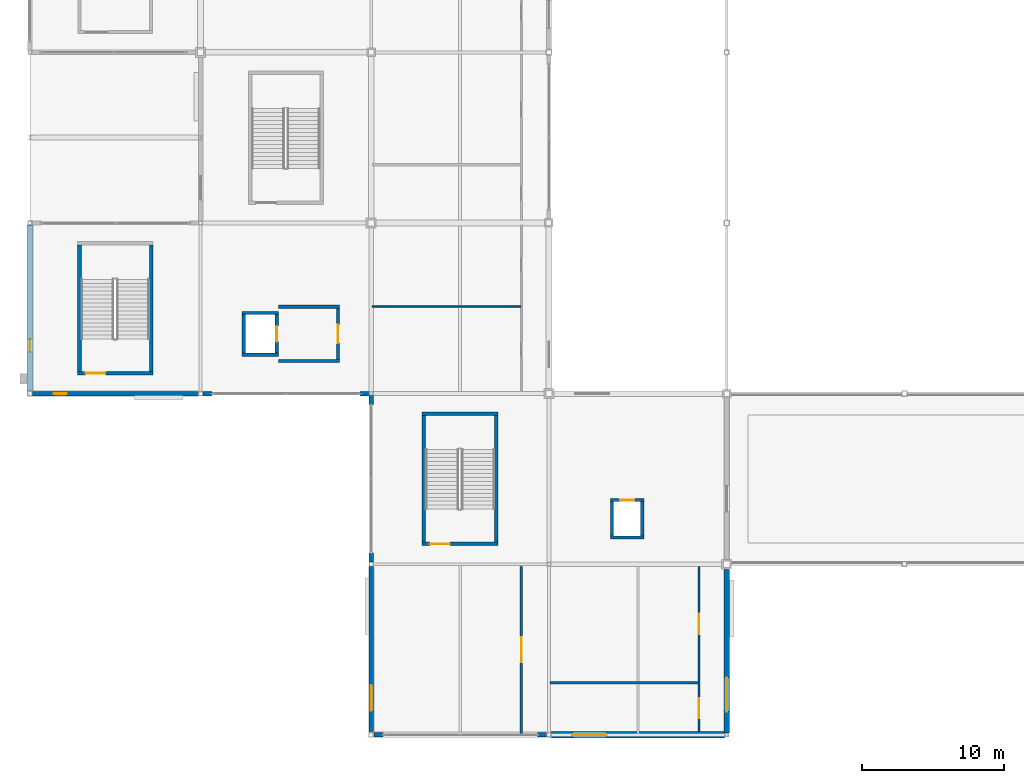
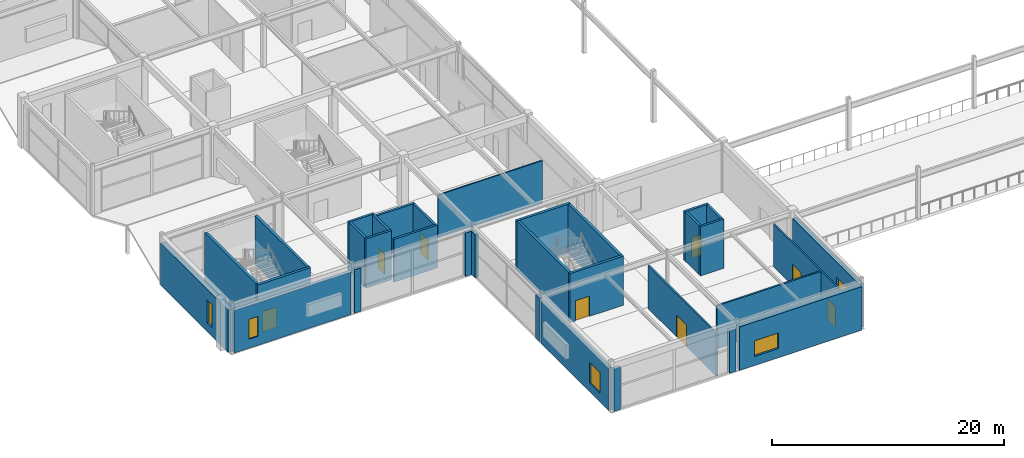
# One storey, part 72 of 105: 33 walls, 8 doors, 5 windows, 13 openings.
"""IFC4 building model written with IfcOpenShell, lengths in metres."""

from ifc_helpers import new_model, si_unit, direction, frame, frame_2d, origin, place, context, subcontext, project, spatial, rectangle, extrude, material, layer, layer_set, type_object, element, fill, save


model = new_model("IFC4")

# Units and contexts
model_context = context("Model", 3, precision=1e-05, world=origin(), true_north=direction((0.0, 1.0)))
body_context = subcontext(model_context, "Body", "Model", "MODEL_VIEW")
ifc_project = project(units=[si_unit("LENGTHUNIT", "METRE"), si_unit("AREAUNIT", "SQUARE_METRE"), si_unit("VOLUMEUNIT", "CUBIC_METRE"), si_unit("PLANEANGLEUNIT", "RADIAN"), si_unit("MASSUNIT", "GRAM", prefix="KILO")], contexts=[model_context])

# Site, building, storey
site_placement = place(None, origin())
site = spatial("IfcSite", under=ifc_project, at=site_placement, CompositionType="ELEMENT")
building_placement = place(site_placement, origin())
building = spatial("IfcBuilding", under=site, at=building_placement, Name="Kazenohara Klinker Stadium", CompositionType="ELEMENT")
storey_placement = place(building_placement, frame((0.0, 0.0, 20.39990234375)))
storey = spatial("IfcBuildingStorey", under=building, at=storey_placement, Name="L04", CompositionType="ELEMENT", Elevation=20.39990234375)

# Walls
ifc_material_1 = material(Name="Concrete C40/50", Category="concrete")
ifc_layer_1 = layer(ifc_material_1, 0.22998046875)
ifc_layer_set_1 = layer_set([ifc_layer_1], Name="Concrete C40/50")
wall_type_1 = type_object("IfcWallType", Name="WAL-CORE-230", PredefinedType="SHEAR", material=ifc_layer_set_1)
for number, where, z_axis, x_axis, name in (
    (1, (14.919921875, 38.735107421875, 0.0), (0.0, 0.0, 1.0), (1.0, 0.0, 0.0), "Elevator shaft wall LF01 L04 South"),
    (2, (14.919921875, 41.6650390625, 0.0), (0.0, 0.0, 1.0), (1.0, 0.0, 0.0), "Elevator shaft wall LF01 L04 North"),
):
    element("IfcWall", number, at=place(storey_placement, frame(where, z_axis=z_axis, x_axis=x_axis)), inside=storey, type_object=wall_type_1, Name=name, PredefinedType="SHEAR", context=body_context, shape_type="SweptSolid", body=[
        extrude(rectangle(XDim=2.56005859375, YDim=0.22998046875, at=frame_2d((1.280029296875, 0.0))), origin(), (0.0, 0.0, 1.0), 5.18017578125),
    ])
wall_1_placement = place(storey_placement, frame((15.034912109375, 38.85009765625, 0.0), z_axis=(0.0, 0.0, 1.0), x_axis=(0.0, 1.0, 0.0)))
element("IfcWall", 3, at=wall_1_placement, inside=storey, type_object=wall_type_1, Name="Elevator shaft wall LF01 L04 West", PredefinedType="SHEAR", context=body_context, shape_type="SweptSolid", body=[
    extrude(rectangle(XDim=2.699951171875, YDim=0.22998046875, at=frame_2d((1.35009765625, 0.0))), origin(), (0.0, 0.0, 1.0), 5.18017578125),
])

# Wall, opening, door
wall_2_placement = place(storey_placement, frame((17.364990234375, 38.85009765625, 0.0), z_axis=(0.0, 0.0, 1.0), x_axis=(0.0, 1.0, 0.0)))
wall_2 = element("IfcWall", 4, at=wall_2_placement, inside=storey, type_object=wall_type_1, Name="Elevator shaft wall LF01 L04 East", PredefinedType="SHEAR", context=body_context, shape_type="SweptSolid", body=[
    extrude(rectangle(XDim=2.699951171875, YDim=0.22998046875, at=frame_2d((1.35009765625, 0.0))), origin(), (0.0, 0.0, 1.0), 5.18017578125),
])
opening_1_placement = place(wall_2_placement, frame((0.800048828125, 0.0, 0.0)))
opening_1 = element("IfcOpeningElement", 5, at=opening_1_placement, cuts=wall_2, Name="Opening LD01", PredefinedType="OPENING", context=body_context, shape_type="SweptSolid", body=[
    extrude(rectangle(XDim=1.10009765625, YDim=2.14990234375, at=frame_2d((0.550048828125, 1.074951171875))), frame((0.0, 0.125, 0.0), z_axis=(0.0, -1.0, 0.0), x_axis=(1.0, 0.0, 0.0)), (0.0, 0.0, 1.0), 0.25),
])
ifc_material_2 = material(Name="Stainless steel fire-rated sliding landing door", Category="steel")
door_type_1 = type_object("IfcDoorType", Name="DR-LD01-1100x2150", OperationType="NOTDEFINED", PredefinedType="DOOR", material=ifc_material_2)
door_1_placement = place(opening_1_placement, origin())
door_1 = element("IfcDoor", 6, at=door_1_placement, inside=storey, type_object=door_type_1, Name="Elevator sliding landing door LF01-L04", OperationType="DOUBLE_DOOR_SLIDING", OverallHeight=2.14990234375, OverallWidth=1.10009765625, PredefinedType="DOOR", context=body_context, shape_type="SweptSolid", body=[
    extrude(rectangle(XDim=1.10009765625, YDim=2.14990234375, at=frame_2d((0.550048828125, 1.074951171875))), frame((0.0, 0.02490234375, 0.0), z_axis=(0.0, -1.0, 0.0), x_axis=(1.0, 0.0, 0.0)), (0.0, 0.0, 1.0), 0.050048828125),
])
fill(opening_1, door_1)

# Wall
wall_3_placement = place(storey_placement, frame((40.820068359375, 25.885009765625, 0.0), z_axis=(0.0, 0.0, 1.0), x_axis=(1.0, 0.0, 0.0)))
element("IfcWall", 7, at=wall_3_placement, inside=storey, type_object=wall_type_1, Name="Elevator shaft wall LP03 L04 South", PredefinedType="SHEAR", context=body_context, shape_type="SweptSolid", body=[
    extrude(rectangle(XDim=2.35986328125, YDim=0.22998046875, at=frame_2d((1.179931640625, 0.0))), origin(), (0.0, 0.0, 1.0), 5.18017578125),
])

# Wall, opening, door
wall_4_placement = place(storey_placement, frame((40.820068359375, 28.514892578125, 0.0), z_axis=(0.0, 0.0, 1.0), x_axis=(1.0, 0.0, 0.0)))
wall_4 = element("IfcWall", 8, at=wall_4_placement, inside=storey, type_object=wall_type_1, Name="Elevator shaft wall LP03 L04 North", PredefinedType="SHEAR", context=body_context, shape_type="SweptSolid", body=[
    extrude(rectangle(XDim=2.35986328125, YDim=0.22998046875, at=frame_2d((1.179931640625, 0.0))), origin(), (0.0, 0.0, 1.0), 5.18017578125),
])
opening_2_placement = place(wall_4_placement, frame((0.679931640625, 0.0, 0.0)))
opening_2 = element("IfcOpeningElement", 9, at=opening_2_placement, cuts=wall_4, Name="Opening LD02", PredefinedType="OPENING", context=body_context, shape_type="SweptSolid", body=[
    extrude(rectangle(XDim=1.0, YDim=2.14990234375, at=frame_2d((0.5, 1.074951171875))), frame((0.0, 0.125, 0.0), z_axis=(0.0, -1.0, 0.0), x_axis=(1.0, 0.0, 0.0)), (0.0, 0.0, 1.0), 0.25),
])
ifc_material_3 = material(Name="Stainless steel sliding landing door", Category="steel")
door_type_2 = type_object("IfcDoorType", Name="DR-LD02-1000x2150", OperationType="NOTDEFINED", PredefinedType="DOOR", material=ifc_material_3)
door_2_placement = place(opening_2_placement, origin())
door_2 = element("IfcDoor", 10, at=door_2_placement, inside=storey, type_object=door_type_2, Name="Elevator sliding landing door LP03-L04", OperationType="DOUBLE_DOOR_SLIDING", OverallHeight=2.14990234375, OverallWidth=1.0, PredefinedType="DOOR", context=body_context, shape_type="SweptSolid", body=[
    extrude(rectangle(XDim=1.0, YDim=2.14990234375, at=frame_2d((0.5, 1.074951171875))), frame((0.0, 0.02490234375, 0.0), z_axis=(0.0, -1.0, 0.0), x_axis=(1.0, 0.0, 0.0)), (0.0, 0.0, 1.0), 0.050048828125),
])
fill(opening_2, door_2)

# Walls
for number, where, z_axis, x_axis, name in (
    (11, (40.93505859375, 26.0, 0.0), (0.0, 0.0, 1.0), (0.0, 1.0, 0.0), "Elevator shaft wall LP03 L04 West"),
    (12, (43.06494140625, 26.0, 0.0), (0.0, 0.0, 1.0), (0.0, 1.0, 0.0), "Elevator shaft wall LP03 L04 East"),
):
    element("IfcWall", number, at=place(storey_placement, frame(where, z_axis=z_axis, x_axis=x_axis)), inside=storey, type_object=wall_type_1, Name=name, PredefinedType="SHEAR", context=body_context, shape_type="SweptSolid", body=[
        extrude(rectangle(XDim=2.39990234375, YDim=0.22998046875, at=frame_2d((1.199951171875, 0.0))), origin(), (0.0, 0.0, 1.0), 5.18017578125),
    ])

# Wall, opening, door
ifc_layer_2 = layer(ifc_material_1, 0.25)
ifc_layer_set_2 = layer_set([ifc_layer_2], Name="Concrete C40/50")
wall_type_2 = type_object("IfcWallType", Name="WAL-CORE-250", PredefinedType="SHEAR", material=ifc_layer_set_2)
wall_5_placement = place(storey_placement, frame((3.360107421875, 37.425048828125, 0.0), z_axis=(0.0, 0.0, 1.0), x_axis=(1.0, 0.0, 0.0)))
wall_5 = element("IfcWall", 13, at=wall_5_placement, inside=storey, type_object=wall_type_2, Name="Stairwell shear wall ST01 L04 South", PredefinedType="SHEAR", context=body_context, shape_type="SweptSolid", body=[
    extrude(rectangle(XDim=5.27978515625, YDim=0.25, at=frame_2d((2.639892578125, 0.0))), origin(), (0.0, 0.0, 1.0), 5.18017578125),
])
opening_3_placement = place(wall_5_placement, frame((0.550048828125, 0.0, 0.0)))
opening_3 = element("IfcOpeningElement", 14, at=opening_3_placement, cuts=wall_5, Name="Opening SD01", PredefinedType="OPENING", context=body_context, shape_type="SweptSolid", body=[
    extrude(rectangle(XDim=1.39990234375, YDim=2.14990234375, at=frame_2d((0.699951171875, 1.074951171875))), frame((0.0, 0.135009765625, 0.0), z_axis=(0.0, -1.0, 0.0), x_axis=(1.0, 0.0, 0.0)), (0.0, 0.0, 1.0), 0.27001953125),
])
ifc_material_4 = material(Name="Flush painted steel fire door leaf", Category="steel")
door_type_3 = type_object("IfcDoorType", Name="DR-STR-1400x2150", OperationType="NOTDEFINED", PredefinedType="DOOR", material=ifc_material_4)
door_3_placement = place(opening_3_placement, origin())
door_3 = element("IfcDoor", 15, at=door_3_placement, inside=storey, type_object=door_type_3, Name="Escape stairwell fire door ST01-L04", OperationType="SINGLE_SWING_RIGHT", OverallHeight=2.14990234375, OverallWidth=1.39990234375, PredefinedType="DOOR", context=body_context, shape_type="SweptSolid", body=[
    extrude(rectangle(XDim=1.39990234375, YDim=2.14990234375, at=frame_2d((0.699951171875, 1.074951171875))), frame((0.0, 0.02490234375, 0.0), z_axis=(0.0, -1.0, 0.0), x_axis=(1.0, 0.0, 0.0)), (0.0, 0.0, 1.0), 0.050048828125),
])
fill(opening_3, door_3)

# Walls
for number, where, z_axis, x_axis, name in (
    (16, (3.485107421875, 37.550048828125, 0.0), (0.0, 0.0, 1.0), (0.0, 1.0, 0.0), "Stairwell shear wall ST01 L04 West"),
    (17, (8.514892578125, 37.550048828125, 0.0), (0.0, 0.0, 1.0), (0.0, 1.0, 0.0), "Stairwell shear wall ST01 L04 East"),
):
    element("IfcWall", number, at=place(storey_placement, frame(where, z_axis=z_axis, x_axis=x_axis)), inside=storey, type_object=wall_type_2, Name=name, PredefinedType="SHEAR", context=body_context, shape_type="SweptSolid", body=[
        extrude(rectangle(XDim=8.89990234375, YDim=0.25, at=frame_2d((4.449951171875, 0.0))), origin(), (0.0, 0.0, 1.0), 5.18017578125),
    ])

# Wall, opening, door
wall_6_placement = place(storey_placement, frame((27.580078125, 25.425048828125, 0.0), z_axis=(0.0, 0.0, 1.0), x_axis=(1.0, 0.0, 0.0)))
wall_6 = element("IfcWall", 18, at=wall_6_placement, inside=storey, type_object=wall_type_2, Name="Stairwell shear wall ST07 L04 South", PredefinedType="SHEAR", context=body_context, shape_type="SweptSolid", body=[
    extrude(rectangle(XDim=5.33984375, YDim=0.25, at=frame_2d((2.669921875, 0.0))), origin(), (0.0, 0.0, 1.0), 5.18017578125),
])
opening_4_placement = place(wall_6_placement, frame((0.550048828125, 0.0, 0.0)))
opening_4 = element("IfcOpeningElement", 19, at=opening_4_placement, cuts=wall_6, Name="Opening SD01", PredefinedType="OPENING", context=body_context, shape_type="SweptSolid", body=[
    extrude(rectangle(XDim=1.39990234375, YDim=2.14990234375, at=frame_2d((0.699951171875, 1.074951171875))), frame((0.0, 0.135009765625, 0.0), z_axis=(0.0, -1.0, 0.0), x_axis=(1.0, 0.0, 0.0)), (0.0, 0.0, 1.0), 0.27001953125),
])
door_4_placement = place(opening_4_placement, origin())
door_4 = element("IfcDoor", 20, at=door_4_placement, inside=storey, type_object=door_type_3, Name="Escape stairwell fire door ST07-L04", OperationType="SINGLE_SWING_RIGHT", OverallHeight=2.14990234375, OverallWidth=1.39990234375, PredefinedType="DOOR", context=body_context, shape_type="SweptSolid", body=[
    extrude(rectangle(XDim=1.39990234375, YDim=2.14990234375, at=frame_2d((0.699951171875, 1.074951171875))), frame((0.0, 0.02490234375, 0.0), z_axis=(0.0, -1.0, 0.0), x_axis=(1.0, 0.0, 0.0)), (0.0, 0.0, 1.0), 0.050048828125),
])
fill(opening_4, door_4)

# Walls
wall_7_placement = place(storey_placement, frame((27.580078125, 34.574951171875, 0.0), z_axis=(0.0, 0.0, 1.0), x_axis=(1.0, 0.0, 0.0)))
element("IfcWall", 21, at=wall_7_placement, inside=storey, type_object=wall_type_2, Name="Stairwell shear wall ST07 L04 North", PredefinedType="SHEAR", context=body_context, shape_type="SweptSolid", body=[
    extrude(rectangle(XDim=5.33984375, YDim=0.25, at=frame_2d((2.669921875, 0.0))), origin(), (0.0, 0.0, 1.0), 5.18017578125),
])
for number, where, z_axis, x_axis, name in (
    (22, (27.705078125, 25.550048828125, 0.0), (0.0, 0.0, 1.0), (0.0, 1.0, 0.0), "Stairwell shear wall ST07 L04 West"),
    (23, (32.794921875, 25.550048828125, 0.0), (0.0, 0.0, 1.0), (0.0, 1.0, 0.0), "Stairwell shear wall ST07 L04 East"),
):
    element("IfcWall", number, at=place(storey_placement, frame(where, z_axis=z_axis, x_axis=x_axis)), inside=storey, type_object=wall_type_2, Name=name, PredefinedType="SHEAR", context=body_context, shape_type="SweptSolid", body=[
        extrude(rectangle(XDim=8.89990234375, YDim=0.25, at=frame_2d((4.449951171875, 0.0))), origin(), (0.0, 0.0, 1.0), 5.18017578125),
    ])

# Wall, opening, window
ifc_material_5 = material(Name="Clinker brick masonry", Category="masonry")
ifc_layer_3 = layer(ifc_material_5, 0.31005859375)
ifc_layer_set_3 = layer_set([ifc_layer_3], Name="Clinker brick masonry")
wall_type_3 = type_object("IfcWallType", Name="WAL-EXT-CB310", PredefinedType="SOLIDWALL", material=ifc_layer_set_3)
wall_8_placement = place(storey_placement, frame((0.178955078125, 36.0, 0.0), z_axis=(0.0, 0.0, 1.0), x_axis=(1.0, 0.0, 0.0)))
wall_8 = element("IfcWall", 24, at=wall_8_placement, inside=storey, type_object=wall_type_3, Name="Clinker brick cavity wall EW05 L04 X0-3", PredefinedType="SOLIDWALL", context=body_context, shape_type="SweptSolid", body=[
    extrude(rectangle(XDim=11.6669921875, YDim=0.31005859375, at=frame_2d((5.83349609375, 0.0))), origin(), (0.0, 0.0, 1.0), 4.47998046875),
])
opening_5_placement = place(wall_8_placement, frame((1.5, 0.0, 0.949951171875)))
opening_5 = element("IfcOpeningElement", 25, at=opening_5_placement, cuts=wall_8, Name="Opening W01", PredefinedType="OPENING", context=body_context, shape_type="SweptSolid", body=[
    extrude(rectangle(XDim=0.89990234375, YDim=2.10009765625, at=frame_2d((0.449951171875, 1.050048828125))), frame((0.0, 0.1650390625, 0.0), z_axis=(0.0, -1.0, 0.0), x_axis=(1.0, 0.0, 0.0)), (0.0, 0.0, 1.0), 0.330078125),
])
ifc_material_6 = material(Name="Dark bronze aluminium frame and triple glazing", Category="aluminium")
window_type_1 = type_object("IfcWindowType", Name="WIN-AS-01", PartitioningType="SINGLE_PANEL", PredefinedType="WINDOW", material=ifc_material_6)
window_1_placement = place(opening_5_placement, origin())
window_1 = element("IfcWindow", 26, at=window_1_placement, inside=storey, type_object=window_type_1, Name="Horizontal-mullion ladder window W01 L04 X0-3", OverallHeight=2.10009765625, OverallWidth=0.89990234375, PartitioningType="SINGLE_PANEL", PredefinedType="WINDOW", context=body_context, shape_type="SweptSolid", body=[
    extrude(rectangle(XDim=0.89990234375, YDim=2.10009765625, at=frame_2d((0.449951171875, 1.050048828125))), frame((0.0, 0.030029296875, 0.0), z_axis=(0.0, -1.0, 0.0), x_axis=(1.0, 0.0, 0.0)), (0.0, 0.0, 1.0), 0.06005859375),
])
fill(opening_5, window_1)

# Walls
wall_9_placement = place(storey_placement, frame((12.154052734375, 36.0, 0.0), z_axis=(0.0, 0.0, 1.0), x_axis=(1.0, 0.0, 0.0)))
element("IfcWall", 27, at=wall_9_placement, inside=storey, type_object=wall_type_3, Name="Clinker brick curtain-wall jamb pier L04 X1-3 A", PredefinedType="SOLIDWALL", context=body_context, shape_type="SweptSolid", body=[
    extrude(rectangle(XDim=0.64990234375, YDim=0.31005859375, at=frame_2d((0.324951171875, 0.0))), origin(), (0.0, 0.0, 1.0), 4.580078125),
])
wall_10_placement = place(storey_placement, frame((23.220947265625, 36.0, 0.0), z_axis=(0.0, 0.0, 1.0), x_axis=(1.0, 0.0, 0.0)))
element("IfcWall", 28, at=wall_10_placement, inside=storey, type_object=wall_type_3, Name="Clinker brick curtain-wall jamb pier L04 X1-3 B", PredefinedType="SOLIDWALL", context=body_context, shape_type="SweptSolid", body=[
    extrude(rectangle(XDim=0.650146484375, YDim=0.31005859375, at=frame_2d((0.3251953125, 0.0))), origin(), (0.0, 0.0, 1.0), 4.580078125),
])
wall_11_placement = place(storey_placement, frame((24.178955078125, 12.0, 0.0), z_axis=(0.0, 0.0, 1.0), x_axis=(1.0, 0.0, 0.0)))
element("IfcWall", 29, at=wall_11_placement, inside=storey, type_object=wall_type_3, Name="Clinker brick curtain-wall jamb pier L04 X2-1 A", PredefinedType="SOLIDWALL", context=body_context, shape_type="SweptSolid", body=[
    extrude(rectangle(XDim=0.650146484375, YDim=0.31005859375, at=frame_2d((0.3251953125, 0.0))), origin(), (0.0, 0.0, 1.0), 4.47998046875),
])
wall_12_placement = place(storey_placement, frame((35.696044921875, 12.0, 0.0), z_axis=(0.0, 0.0, 1.0), x_axis=(1.0, 0.0, 0.0)))
element("IfcWall", 30, at=wall_12_placement, inside=storey, type_object=wall_type_3, Name="Clinker brick curtain-wall jamb pier L04 X2-1 B", PredefinedType="SOLIDWALL", context=body_context, shape_type="SweptSolid", body=[
    extrude(rectangle(XDim=0.64990234375, YDim=0.31005859375, at=frame_2d((0.324951171875, 0.0))), origin(), (0.0, 0.0, 1.0), 4.47998046875),
])

# Wall, opening, window
wall_13_placement = place(storey_placement, frame((24.0, 12.178955078125, 0.0), z_axis=(0.0, 0.0, 1.0), x_axis=(0.0, 1.0, 0.0)))
wall_13 = element("IfcWall", 31, at=wall_13_placement, inside=storey, type_object=wall_type_3, Name="Clinker brick cavity wall EW05 L04 Y2-1", PredefinedType="SOLIDWALL", context=body_context, shape_type="SweptSolid", body=[
    extrude(rectangle(XDim=11.6669921875, YDim=0.31005859375, at=frame_2d((5.83349609375, 0.0))), origin(), (0.0, 0.0, 1.0), 4.47998046875),
])
opening_6_placement = place(wall_13_placement, frame((1.5, 0.0, 0.949951171875)))
opening_6 = element("IfcOpeningElement", 32, at=opening_6_placement, cuts=wall_13, Name="Opening W14", PredefinedType="OPENING", context=body_context, shape_type="SweptSolid", body=[
    extrude(rectangle(XDim=1.800048828125, YDim=2.14990234375, at=frame_2d((0.89990234375, 1.074951171875))), frame((0.0, 0.1650390625, 0.0), z_axis=(0.0, -1.0, 0.0), x_axis=(1.0, 0.0, 0.0)), (0.0, 0.0, 1.0), 0.330078125),
])
window_type_2 = type_object("IfcWindowType", Name="WIN-AS-14", PartitioningType="SINGLE_PANEL", PredefinedType="WINDOW", material=ifc_material_6)
window_2_placement = place(opening_6_placement, origin())
window_2 = element("IfcWindow", 33, at=window_2_placement, inside=storey, type_object=window_type_2, Name="Horizontal-mullion ladder window W14 L04 Y2-1", OverallHeight=2.14990234375, OverallWidth=1.800048828125, PartitioningType="SINGLE_PANEL", PredefinedType="WINDOW", context=body_context, shape_type="SweptSolid", body=[
    extrude(rectangle(XDim=1.800048828125, YDim=2.14990234375, at=frame_2d((0.89990234375, 1.074951171875))), frame((0.0, 0.030029296875, 0.0), z_axis=(0.0, -1.0, 0.0), x_axis=(1.0, 0.0, 0.0)), (0.0, 0.0, 1.0), 0.06005859375),
])
fill(opening_6, window_2)

# Walls
wall_14_placement = place(storey_placement, frame((24.0, 24.154052734375, 0.0), z_axis=(0.0, 0.0, 1.0), x_axis=(0.0, 1.0, 0.0)))
element("IfcWall", 34, at=wall_14_placement, inside=storey, type_object=wall_type_3, Name="Clinker brick curtain-wall jamb pier L04 Y2-2 A", PredefinedType="SOLIDWALL", context=body_context, shape_type="SweptSolid", body=[
    extrude(rectangle(XDim=0.64990234375, YDim=0.31005859375, at=frame_2d((0.324951171875, 0.0))), origin(), (0.0, 0.0, 1.0), 4.580078125),
])
wall_15_placement = place(storey_placement, frame((24.0, 35.220947265625, 0.0), z_axis=(0.0, 0.0, 1.0), x_axis=(0.0, 1.0, 0.0)))
element("IfcWall", 35, at=wall_15_placement, inside=storey, type_object=wall_type_3, Name="Clinker brick curtain-wall jamb pier L04 Y2-2 B", PredefinedType="SOLIDWALL", context=body_context, shape_type="SweptSolid", body=[
    extrude(rectangle(XDim=0.650146484375, YDim=0.31005859375, at=frame_2d((0.3251953125, 0.0))), origin(), (0.0, 0.0, 1.0), 4.580078125),
])

# Wall, opening, window
ifc_layer_4 = layer(ifc_material_5, 0.409912109375)
ifc_layer_set_4 = layer_set([ifc_layer_4], Name="Clinker brick masonry")
wall_type_4 = type_object("IfcWallType", Name="WAL-EXT-CB410", PredefinedType="SOLIDWALL", material=ifc_layer_set_4)
wall_16_placement = place(storey_placement, frame((49.0, 12.12890625, 0.0), z_axis=(0.0, 0.0, 1.0), x_axis=(0.0, 1.0, 0.0)))
wall_16 = element("IfcWall", 36, at=wall_16_placement, inside=storey, type_object=wall_type_4, Name="Clinker brick cavity wall EW02 L04 Y4-1", PredefinedType="SOLIDWALL", context=body_context, shape_type="SweptSolid", body=[
    extrude(rectangle(XDim=11.51708984375, YDim=0.409912109375, at=frame_2d((5.758544921875, 0.0))), origin(), (0.0, 0.0, 1.0), 4.592041015625),
])
opening_7_placement = place(wall_16_placement, frame((1.5, 0.0, 0.949951171875)))
opening_7 = element("IfcOpeningElement", 37, at=opening_7_placement, cuts=wall_16, Name="Opening W24", PredefinedType="OPENING", context=body_context, shape_type="SweptSolid", body=[
    extrude(rectangle(XDim=2.39990234375, YDim=2.050048828125, at=frame_2d((1.199951171875, 1.02490234375))), frame((0.0, 0.21484375, 0.0), z_axis=(0.0, -1.0, 0.0), x_axis=(1.0, 0.0, 0.0)), (0.0, 0.0, 1.0), 0.429931640625),
])
window_type_3 = type_object("IfcWindowType", Name="WIN-AS-24", PartitioningType="SINGLE_PANEL", PredefinedType="WINDOW", material=ifc_material_6)
window_3_placement = place(opening_7_placement, origin())
window_3 = element("IfcWindow", 38, at=window_3_placement, inside=storey, type_object=window_type_3, Name="Horizontal-mullion ladder window W24 L04 Y4-1", OverallHeight=2.050048828125, OverallWidth=2.39990234375, PartitioningType="SINGLE_PANEL", PredefinedType="WINDOW", context=body_context, shape_type="SweptSolid", body=[
    extrude(rectangle(XDim=2.39990234375, YDim=2.050048828125, at=frame_2d((1.199951171875, 1.02490234375))), frame((0.0, 0.030029296875, 0.0), z_axis=(0.0, -1.0, 0.0), x_axis=(1.0, 0.0, 0.0)), (0.0, 0.0, 1.0), 0.06005859375),
])
fill(opening_7, window_3)

ifc_layer_5 = layer(ifc_material_5, 0.449951171875)
ifc_layer_set_5 = layer_set([ifc_layer_5], Name="Clinker brick masonry")
wall_type_5 = type_object("IfcWallType", Name="WAL-EXT-CB450", PredefinedType="SOLIDWALL", material=ifc_layer_set_5)
wall_17_placement = place(storey_placement, frame((0.0, 36.178955078125, 0.0), z_axis=(0.0, 0.0, 1.0), x_axis=(0.0, 1.0, 0.0)))
wall_17 = element("IfcWall", 39, at=wall_17_placement, inside=storey, type_object=wall_type_5, Name="Clinker brick cavity wall EW01 L04 Y0-3", PredefinedType="SOLIDWALL", context=body_context, shape_type="SweptSolid", body=[
    extrude(rectangle(XDim=11.6669921875, YDim=0.449951171875, at=frame_2d((5.83349609375, 0.0))), origin(), (0.0, 0.0, 1.0), 4.47998046875),
])
opening_8_placement = place(wall_17_placement, frame((2.75, 0.0, 0.949951171875)))
opening_8 = element("IfcOpeningElement", 40, at=opening_8_placement, cuts=wall_17, Name="Opening W02", PredefinedType="OPENING", context=body_context, shape_type="SweptSolid", body=[
    extrude(rectangle(XDim=0.89990234375, YDim=2.39990234375, at=frame_2d((0.449951171875, 1.199951171875))), frame((0.0, 0.23486328125, 0.0), z_axis=(0.0, -1.0, 0.0), x_axis=(1.0, 0.0, 0.0)), (0.0, 0.0, 1.0), 0.469970703125),
])
window_type_4 = type_object("IfcWindowType", Name="WIN-AS-02", PartitioningType="SINGLE_PANEL", PredefinedType="WINDOW", material=ifc_material_6)
window_4_placement = place(opening_8_placement, origin())
window_4 = element("IfcWindow", 41, at=window_4_placement, inside=storey, type_object=window_type_4, Name="Horizontal-mullion ladder window W02 L04 Y0-3", OverallHeight=2.39990234375, OverallWidth=0.89990234375, PartitioningType="SINGLE_PANEL", PredefinedType="WINDOW", context=body_context, shape_type="SweptSolid", body=[
    extrude(rectangle(XDim=0.89990234375, YDim=2.39990234375, at=frame_2d((0.449951171875, 1.199951171875))), frame((0.0, 0.030029296875, 0.0), z_axis=(0.0, -1.0, 0.0), x_axis=(1.0, 0.0, 0.0)), (0.0, 0.0, 1.0), 0.06005859375),
])
fill(opening_8, window_4)

wall_18_placement = place(storey_placement, frame((36.654052734375, 12.0, 0.0), z_axis=(0.0, 0.0, 1.0), x_axis=(1.0, 0.0, 0.0)))
wall_18 = element("IfcWall", 42, at=wall_18_placement, inside=storey, type_object=wall_type_5, Name="Clinker brick cavity wall EW01 L04 X3-1", PredefinedType="SOLIDWALL", context=body_context, shape_type="SweptSolid", body=[
    extrude(rectangle(XDim=12.217041015625, YDim=0.449951171875, at=frame_2d((6.1083984375, 0.0))), origin(), (0.0, 0.0, 1.0), 4.580078125),
])
opening_9_placement = place(wall_18_placement, frame((1.5, 0.0, 0.949951171875)))
opening_9 = element("IfcOpeningElement", 43, at=opening_9_placement, cuts=wall_18, Name="Opening W23", PredefinedType="OPENING", context=body_context, shape_type="SweptSolid", body=[
    extrude(rectangle(XDim=2.39990234375, YDim=1.64990234375, at=frame_2d((1.199951171875, 0.824951171875))), frame((0.0, 0.23486328125, 0.0), z_axis=(0.0, -1.0, 0.0), x_axis=(1.0, 0.0, 0.0)), (0.0, 0.0, 1.0), 0.469970703125),
])
window_type_5 = type_object("IfcWindowType", Name="WIN-AS-23", PartitioningType="SINGLE_PANEL", PredefinedType="WINDOW", material=ifc_material_6)
window_5_placement = place(opening_9_placement, origin())
window_5 = element("IfcWindow", 44, at=window_5_placement, inside=storey, type_object=window_type_5, Name="Horizontal-mullion ladder window W23 L04 X3-1", OverallHeight=1.64990234375, OverallWidth=2.39990234375, PartitioningType="SINGLE_PANEL", PredefinedType="WINDOW", context=body_context, shape_type="SweptSolid", body=[
    extrude(rectangle(XDim=2.39990234375, YDim=1.64990234375, at=frame_2d((1.199951171875, 0.824951171875))), frame((0.0, 0.030029296875, 0.0), z_axis=(0.0, -1.0, 0.0), x_axis=(1.0, 0.0, 0.0)), (0.0, 0.0, 1.0), 0.06005859375),
])
fill(opening_9, window_5)

# Walls
ifc_layer_6 = layer(ifc_material_1, 0.219970703125)
ifc_layer_set_6 = layer_set([ifc_layer_6], Name="Concrete C40/50")
wall_type_6 = type_object("IfcWallType", Name="WAL-INT-FF220", PredefinedType="SOLIDWALL", material=ifc_layer_set_6)
for number, where, z_axis, x_axis, name in (
    (45, (17.47998046875, 38.2900390625, 0.0), (0.0, 0.0, 1.0), (1.0, 0.0, 0.0), "Firefighting lobby wall LF01 L04 South"),
    (46, (17.47998046875, 42.110107421875, 0.0), (0.0, 0.0, 1.0), (1.0, 0.0, 0.0), "Firefighting lobby wall LF01 L04 North"),
):
    element("IfcWall", number, at=place(storey_placement, frame(where, z_axis=z_axis, x_axis=x_axis)), inside=storey, type_object=wall_type_6, Name=name, PredefinedType="SOLIDWALL", context=body_context, shape_type="SweptSolid", body=[
        extrude(rectangle(XDim=4.2900390625, YDim=0.219970703125, at=frame_2d((2.14501953125, 0.0))), origin(), (0.0, 0.0, 1.0), 4.52001953125),
    ])

# Wall, opening, door
wall_19_placement = place(storey_placement, frame((21.659912109375, 38.39990234375, 0.0), z_axis=(0.0, 0.0, 1.0), x_axis=(0.0, 1.0, 0.0)))
wall_19 = element("IfcWall", 47, at=wall_19_placement, inside=storey, type_object=wall_type_6, Name="Firefighting lobby front wall LF01 L04", PredefinedType="SOLIDWALL", context=body_context, shape_type="SweptSolid", body=[
    extrude(rectangle(XDim=3.60009765625, YDim=0.219970703125, at=frame_2d((1.800048828125, 0.0))), origin(), (0.0, 0.0, 1.0), 4.52001953125),
])
opening_10_placement = place(wall_19_placement, frame((1.14990234375, 0.0, 0.0)))
opening_10 = element("IfcOpeningElement", 48, at=opening_10_placement, cuts=wall_19, Name="Opening FD01", PredefinedType="OPENING", context=body_context, shape_type="SweptSolid", body=[
    extrude(rectangle(XDim=1.300048828125, YDim=2.14990234375, at=frame_2d((0.64990234375, 1.074951171875))), frame((0.0, 0.1201171875, 0.0), z_axis=(0.0, -1.0, 0.0), x_axis=(1.0, 0.0, 0.0)), (0.0, 0.0, 1.0), 0.239990234375),
])
ifc_material_7 = material(Name="Smoke-sealed steel fire lobby door", Category="steel")
door_type_4 = type_object("IfcDoorType", Name="DR-FFL-1300x2150", OperationType="NOTDEFINED", PredefinedType="DOOR", material=ifc_material_7)
door_5_placement = place(opening_10_placement, origin())
door_5 = element("IfcDoor", 49, at=door_5_placement, inside=storey, type_object=door_type_4, Name="Firefighting lobby smoke-sealed door LF01-L04", OperationType="SINGLE_SWING_RIGHT", OverallHeight=2.14990234375, OverallWidth=1.300048828125, PredefinedType="DOOR", context=body_context, shape_type="SweptSolid", body=[
    extrude(rectangle(XDim=1.300048828125, YDim=2.14990234375, at=frame_2d((0.64990234375, 1.074951171875))), frame((0.0, 0.02490234375, 0.0), z_axis=(0.0, -1.0, 0.0), x_axis=(1.0, 0.0, 0.0)), (0.0, 0.0, 1.0), 0.050048828125),
])
fill(opening_10, door_5)

# Wall
ifc_material_8 = material(Name="Fire-rated gypsum board on acoustic studs", Category="gypsum")
ifc_layer_7 = layer(ifc_material_8, 0.1201171875)
ifc_layer_set_7 = layer_set([ifc_layer_7], Name="Fire-rated gypsum board on acoustic studs")
wall_type_7 = type_object("IfcWallType", Name="WAL-INT-P120", PredefinedType="PARTITIONING", material=ifc_layer_set_7)
wall_20_placement = place(storey_placement, frame((24.080078125, 42.11669921875, 0.0), z_axis=(0.0, 0.0, 1.0), x_axis=(1.0, 0.0, 0.0)))
element("IfcWall", 50, at=wall_20_placement, inside=storey, type_object=wall_type_7, Name="Interior partition wall PT02 SPC-L04-02-03-1-2", PredefinedType="PARTITIONING", context=body_context, shape_type="SweptSolid", body=[
    extrude(rectangle(XDim=10.419921875, YDim=0.1201171875, at=frame_2d((5.2099609375, 0.0))), origin(), (0.0, 0.0, 1.0), 4.52001953125),
])

# Wall, openings, doors
ifc_layer_8 = layer(ifc_material_8, 0.14990234375)
ifc_layer_set_8 = layer_set([ifc_layer_8], Name="Fire-rated gypsum board on acoustic studs")
wall_type_8 = type_object("IfcWallType", Name="WAL-INT-P150", PredefinedType="PARTITIONING", material=ifc_layer_set_8)
wall_21_placement = place(storey_placement, frame((47.06005859375, 12.22705078125, 0.0), z_axis=(0.0, 0.0, 1.0), x_axis=(0.0, 1.0, 0.0)))
wall_21 = element("IfcWall", 51, at=wall_21_placement, inside=storey, type_object=wall_type_8, Name="Interior partition wall PT04 SPC-L04-03-01-1-1", PredefinedType="PARTITIONING", context=body_context, shape_type="SweptSolid", body=[
    extrude(rectangle(XDim=11.613037109375, YDim=0.14990234375, at=frame_2d((5.806640625, 0.0))), origin(), (0.0, 0.0, 1.0), 4.52001953125),
])
opening_11_placement = place(wall_21_placement, frame((0.945068359375, 0.0, 0.0)))
opening_11 = element("IfcOpeningElement", 52, at=opening_11_placement, cuts=wall_21, Name="Opening ID18", PredefinedType="OPENING", context=body_context, shape_type="SweptSolid", body=[
    extrude(rectangle(XDim=1.39990234375, YDim=2.239990234375, at=frame_2d((0.699951171875, 1.1201171875))), frame((0.0, 0.0849609375, 0.0), z_axis=(0.0, -1.0, 0.0), x_axis=(1.0, 0.0, 0.0)), (0.0, 0.0, 1.0), 0.169921875),
])
opening_12_placement = place(wall_21_placement, frame((6.844970703125, 0.0, 0.0)))
opening_12 = element("IfcOpeningElement", 53, at=opening_12_placement, cuts=wall_21, Name="Opening ID19", PredefinedType="OPENING", context=body_context, shape_type="SweptSolid", body=[
    extrude(rectangle(XDim=1.43994140625, YDim=2.260009765625, at=frame_2d((0.719970703125, 1.1298828125))), frame((0.0, 0.0849609375, 0.0), z_axis=(0.0, -1.0, 0.0), x_axis=(1.0, 0.0, 0.0)), (0.0, 0.0, 1.0), 0.169921875),
])
ifc_material_9 = material(Name="Solid-core Hokkaido oak fire door", Category="wood")
door_type_5 = type_object("IfcDoorType", Name="DR-INT-18", OperationType="NOTDEFINED", PredefinedType="DOOR", material=ifc_material_9)
door_6_placement = place(opening_11_placement, origin())
door_6 = element("IfcDoor", 54, at=door_6_placement, inside=storey, type_object=door_type_5, Name="Interior door ID18 Heat-Recovery Air Handling Plant L04-0301A", OperationType="SINGLE_SWING_LEFT", OverallHeight=2.239990234375, OverallWidth=1.39990234375, PredefinedType="DOOR", context=body_context, shape_type="SweptSolid", body=[
    extrude(rectangle(XDim=1.39990234375, YDim=2.239990234375, at=frame_2d((0.699951171875, 1.1201171875))), frame((0.0, 0.02490234375, 0.0), z_axis=(0.0, -1.0, 0.0), x_axis=(1.0, 0.0, 0.0)), (0.0, 0.0, 1.0), 0.050048828125),
])
fill(opening_11, door_6)
ifc_material_10 = material(Name="Painted steel plant fire door", Category="steel")
door_type_6 = type_object("IfcDoorType", Name="DR-INT-19", OperationType="NOTDEFINED", PredefinedType="DOOR", material=ifc_material_10)
door_7_placement = place(opening_12_placement, origin())
door_7 = element("IfcDoor", 55, at=door_7_placement, inside=storey, type_object=door_type_6, Name="Interior door ID19 Executive Club Dining Suite L04-0301B", OperationType="SINGLE_SWING_RIGHT", OverallHeight=2.260009765625, OverallWidth=1.43994140625, PredefinedType="DOOR", context=body_context, shape_type="SweptSolid", body=[
    extrude(rectangle(XDim=1.43994140625, YDim=2.260009765625, at=frame_2d((0.719970703125, 1.1298828125))), frame((0.0, 0.02490234375, 0.0), z_axis=(0.0, -1.0, 0.0), x_axis=(1.0, 0.0, 0.0)), (0.0, 0.0, 1.0), 0.050048828125),
])
fill(opening_12, door_7)

# Wall, opening, door
ifc_layer_9 = layer(ifc_material_8, 0.169921875)
ifc_layer_set_9 = layer_set([ifc_layer_9], Name="Fire-rated gypsum board on acoustic studs")
wall_type_9 = type_object("IfcWallType", Name="WAL-INT-P170", PredefinedType="PARTITIONING", material=ifc_layer_set_9)
wall_22_placement = place(storey_placement, frame((34.56005859375, 12.02392578125, 0.0), z_axis=(0.0, 0.0, 1.0), x_axis=(0.0, 1.0, 0.0)))
wall_22 = element("IfcWall", 56, at=wall_22_placement, inside=storey, type_object=wall_type_9, Name="Interior partition wall PT05 SPC-L04-02-01-1-1", PredefinedType="PARTITIONING", context=body_context, shape_type="SweptSolid", body=[
    extrude(rectangle(XDim=11.816162109375, YDim=0.169921875, at=frame_2d((5.908203125, 0.0))), origin(), (0.0, 0.0, 1.0), 4.52001953125),
])
opening_13_placement = place(wall_22_placement, frame((5.095947265625, 0.0, 0.0)))
opening_13 = element("IfcOpeningElement", 57, at=opening_13_placement, cuts=wall_22, Name="Opening ID26", PredefinedType="OPENING", context=body_context, shape_type="SweptSolid", body=[
    extrude(rectangle(XDim=1.760009765625, YDim=2.300048828125, at=frame_2d((0.8798828125, 1.14990234375))), frame((0.0, 0.094970703125, 0.0), z_axis=(0.0, -1.0, 0.0), x_axis=(1.0, 0.0, 0.0)), (0.0, 0.0, 1.0), 0.18994140625),
])
door_type_7 = type_object("IfcDoorType", Name="DR-INT-26", OperationType="NOTDEFINED", PredefinedType="DOOR", material=ifc_material_10)
door_8_placement = place(opening_13_placement, origin())
door_8 = element("IfcDoor", 58, at=door_8_placement, inside=storey, type_object=door_type_7, Name="Interior door ID26 Executive Club Dining Suite L04-0201A", OperationType="SINGLE_SWING_LEFT", OverallHeight=2.300048828125, OverallWidth=1.760009765625, PredefinedType="DOOR", context=body_context, shape_type="SweptSolid", body=[
    extrude(rectangle(XDim=1.760009765625, YDim=2.300048828125, at=frame_2d((0.8798828125, 1.14990234375))), frame((0.0, 0.02490234375, 0.0), z_axis=(0.0, -1.0, 0.0), x_axis=(1.0, 0.0, 0.0)), (0.0, 0.0, 1.0), 0.050048828125),
])
fill(opening_13, door_8)

# Wall
wall_23_placement = place(storey_placement, frame((36.580078125, 15.6640625, 0.0), z_axis=(0.0, 0.0, 1.0), x_axis=(1.0, 0.0, 0.0)))
element("IfcWall", 59, at=wall_23_placement, inside=storey, type_object=wall_type_9, Name="Interior partition wall PT05 SPC-L04-03-01-1-2", PredefinedType="PARTITIONING", context=body_context, shape_type="SweptSolid", body=[
    extrude(rectangle(XDim=10.39990234375, YDim=0.169921875, at=frame_2d((5.199951171875, 0.0))), origin(), (0.0, 0.0, 1.0), 4.52001953125),
])

save(model, "model.ifc")
